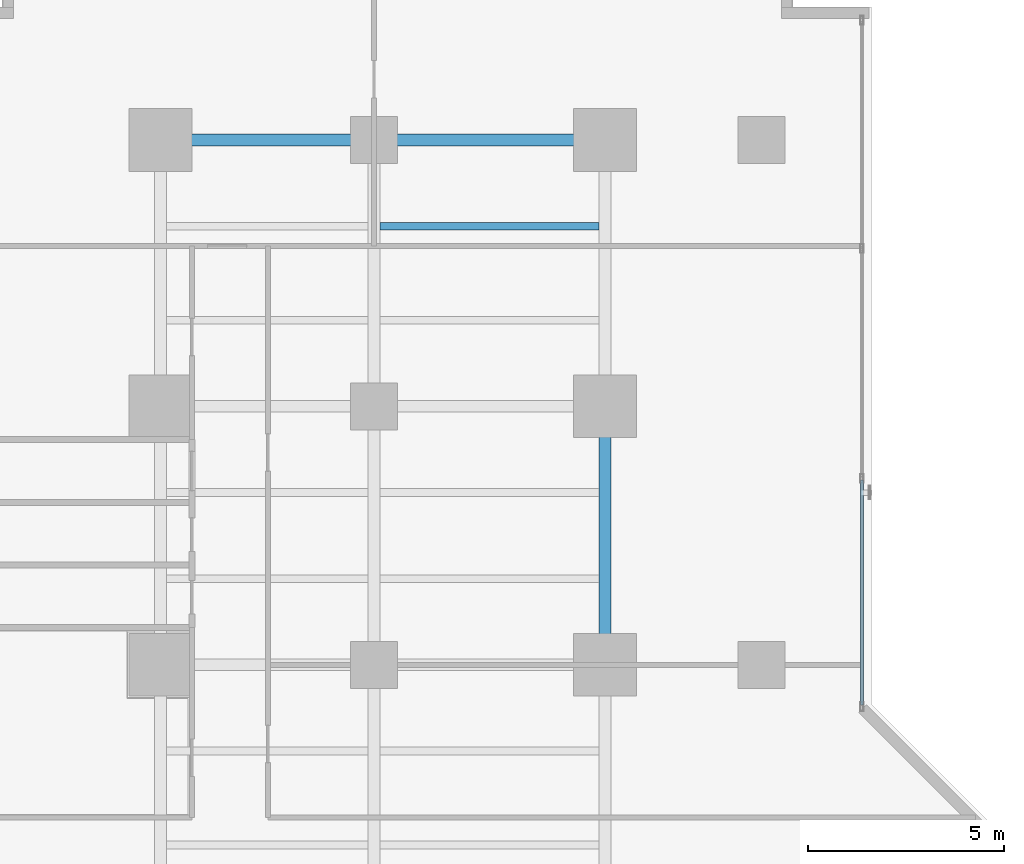
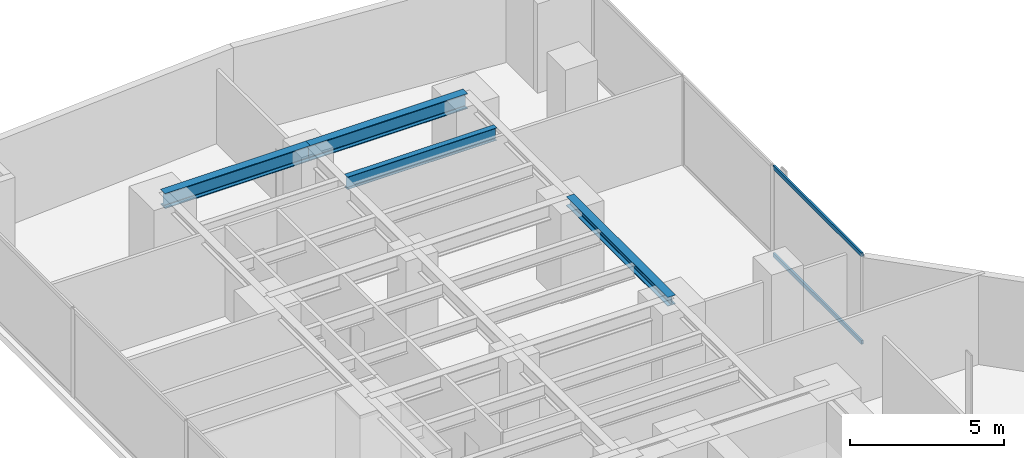
# One storey, part 18 of 31: 4 beams, 2 members, 1 element without a shape of its own.
"""IFC4 building model written with IfcOpenShell, lengths in metres."""

from ifc_helpers import new_model, si_unit, direction, frame, origin, origin_with_axes, origin_2d, place, context, subcontext, project, spatial, hollow_rectangle, i_section, extrude, source, transform, mapped, material, layer, layer_set, material_profile, profile_set, type_object, element, aggregate, save


model = new_model("IFC4")

# Units and contexts
model_context = context("Model", 3, precision=1e-05, world=origin(), true_north=direction((0.0, 1.0)))
body_context = subcontext(model_context, "Body", "Model", "MODEL_VIEW")
ifc_project = project(units=[si_unit("LENGTHUNIT", "METRE"), si_unit("AREAUNIT", "SQUARE_METRE"), si_unit("VOLUMEUNIT", "CUBIC_METRE"), si_unit("PLANEANGLEUNIT", "RADIAN"), si_unit("MASSUNIT", "GRAM", prefix="KILO")], contexts=[model_context])

# Site, building, storey
site_placement = place(None, origin())
site = spatial("IfcSite", under=ifc_project, at=site_placement, CompositionType="ELEMENT")
building_placement = place(site_placement, origin())
building = spatial("IfcBuilding", under=site, at=building_placement, Name="Kolvaren Waterfront Exchange", CompositionType="ELEMENT")
storey_placement = place(building_placement, frame((0.0, 0.0, 67.60009765625)))
storey = spatial("IfcBuildingStorey", under=building, at=storey_placement, Name="L17", CompositionType="ELEMENT", Elevation=67.60009765625)

# Beams
ifc_material_1 = material(Name="Steel S355", Category="steel")
ifc_material_profile_1 = material_profile(ifc_material_1, i_section(OverallWidth=0.300048828125, OverallDepth=0.360107421875, WebThickness=0.012451171875, FlangeThickness=0.0224609375, FilletRadius=0.027099609375, at=origin_2d()), Name="HEB360")
ifc_profile_set_1 = profile_set([ifc_material_profile_1], Name="Steel S355")
beam_type_1 = type_object("IfcBeamType", Name="STR-BM-HEB360", PredefinedType="SPANDREL", material=ifc_profile_set_1)
beam_1_placement = place(storey_placement, frame((18.800048828125, 31.199951171875, 3.35986328125), z_axis=(0.0, 1.0, 0.0), x_axis=(-1.0, 0.0, 0.0)))
element("IfcBeam", 1, at=beam_1_placement, inside=storey, type_object=beam_type_1, Name="L17 north-arm edge beam 2", PredefinedType="SPANDREL", context=body_context, shape_type="SweptSolid", body=[
    extrude(i_section(OverallWidth=0.300048828125, OverallDepth=0.360107421875, WebThickness=0.012451171875, FlangeThickness=0.0224609375, FilletRadius=0.027099609375, at=origin_2d()), origin(), (0.0, 0.0, 1.0), 6.60009765625),
])
ifc_material_profile_2 = material_profile(ifc_material_1, i_section(OverallWidth=0.300048828125, OverallDepth=0.60009765625, WebThickness=0.015380859375, FlangeThickness=0.030029296875, FilletRadius=0.027099609375, at=origin_2d()), Name="HEB600")
ifc_profile_set_2 = profile_set([ifc_material_profile_2], Name="Steel S355")
beam_type_2 = type_object("IfcBeamType", Name="STR-BM-HEB600", PredefinedType="BEAM", material=ifc_profile_set_2)
beam_2_placement = place(storey_placement, frame((7.449951171875, 44.60009765625, 3.239990234375), z_axis=(1.0, 0.0, 0.0), x_axis=(0.0, 1.0, 0.0)))
element("IfcBeam", 2, at=beam_2_placement, inside=storey, type_object=beam_type_2, Name="L17 north-arm girder 4A", PredefinedType="BEAM", context=body_context, shape_type="SweptSolid", body=[
    extrude(i_section(OverallWidth=0.300048828125, OverallDepth=0.60009765625, WebThickness=0.015380859375, FlangeThickness=0.030029296875, FilletRadius=0.027099609375, at=origin_2d()), origin(), (0.0, 0.0, 1.0), 5.449951171875),
])
beam_3_placement = place(storey_placement, frame((12.89990234375, 44.60009765625, 3.239990234375), z_axis=(1.0, 0.0, 0.0), x_axis=(0.0, 1.0, 0.0)))
element("IfcBeam", 3, at=beam_3_placement, inside=storey, type_object=beam_type_2, Name="L17 north-arm girder 4B", PredefinedType="BEAM", context=body_context, shape_type="SweptSolid", body=[
    extrude(i_section(OverallWidth=0.300048828125, OverallDepth=0.60009765625, WebThickness=0.015380859375, FlangeThickness=0.030029296875, FilletRadius=0.027099609375, at=origin_2d()), origin(), (0.0, 0.0, 1.0), 5.900146484375),
])
ifc_material_profile_3 = material_profile(ifc_material_1, i_section(OverallWidth=0.199951171875, OverallDepth=0.5, WebThickness=0.01025390625, FlangeThickness=0.01611328125, FilletRadius=0.02099609375, at=origin_2d()), Name="IPE500")
ifc_profile_set_3 = profile_set([ifc_material_profile_3], Name="Steel S355")
beam_type_3 = type_object("IfcBeamType", Name="STR-BM-IPE500", PredefinedType="JOIST", material=ifc_profile_set_3)
beam_4_placement = place(storey_placement, frame((13.052001953125, 42.39990234375, 3.289794921875), z_axis=(1.0, 0.0, 0.0), x_axis=(0.0, 1.0, 0.0)))
element("IfcBeam", 4, at=beam_4_placement, inside=storey, type_object=beam_type_3, Name="L17 north-arm composite joist 6B", PredefinedType="JOIST", context=body_context, shape_type="SweptSolid", body=[
    extrude(i_section(OverallWidth=0.199951171875, OverallDepth=0.5, WebThickness=0.01025390625, FlangeThickness=0.01611328125, FilletRadius=0.02099609375, at=origin_2d()), origin(), (0.0, 0.0, 1.0), 5.595947265625),
])

# Curtain wall, members
ifc_material_2 = material(Name="Anodised bronze aluminium 6063-T6", Category="aluminium")
ifc_layer = layer(ifc_material_2, 0.219970703125, Name="Anodised bronze aluminium 6063-T6")
ifc_layer_set = layer_set([ifc_layer], Name="Anodised bronze aluminium 6063-T6")
curtain_wall_type = type_object("IfcCurtainWallType", Name="ARC-CW-SYS1", PredefinedType="USERDEFINED", material=ifc_layer_set)
curtain_wall_placement = place(storey_placement, origin())
curtain_wall = element("IfcCurtainWall", 5, at=curtain_wall_placement, inside=storey, type_object=curtain_wall_type, Name="L17 stick curtain wall CW1 (CW-L17-NE)", ObjectType="STICK CURTAIN WALL", PredefinedType="USERDEFINED")
ifc_material_3 = material(Name="Anodised aluminium 6063-T6", Category="aluminium")
ifc_material_profile_4 = material_profile(ifc_material_3, hollow_rectangle(XDim=0.074951171875, YDim=0.159912109375, WallThickness=0.00439453125, at=origin_2d()), Name="ALU-TRN-160x75x4.5")
ifc_profile_set_4 = profile_set([ifc_material_profile_4], Name="Anodised aluminium 6063-T6")
member_type = type_object("IfcMemberType", Name="ARC-CWT-160", PredefinedType="USERDEFINED", material=ifc_profile_set_4)
shared_shape = source(origin_with_axes(), body_context, "Body", "SweptSolid", [
    extrude(hollow_rectangle(XDim=0.074951171875, YDim=0.159912109375, WallThickness=0.00439453125, at=origin_2d()), origin(), (0.0, 0.0, 1.0), 5.75),
])
member_1_placement = place(storey_placement, frame((25.360107421875, 30.169921875, 0.037353515625), z_axis=(0.0, 1.0, 0.0), x_axis=(-1.0, 0.0, 0.0)))
member_1 = element("IfcMember", 6, at=member_1_placement, type_object=member_type, Name="CW1 transom 1.1", ObjectType="TRANSOM", PredefinedType="USERDEFINED", context=body_context, shape_type="MappedRepresentation", body=[
    mapped(shared_shape, transform((0.0, 0.0, 0.0), x_axis=(1.0, 0.0, 0.0), y_axis=(0.0, 1.0, 0.0), z_axis=(0.0, 0.0, 1.0), scale=1.0)),
])
member_2_placement = place(storey_placement, frame((25.360107421875, 30.169921875, 3.50244140625), z_axis=(0.0, 1.0, 0.0), x_axis=(-1.0, 0.0, 0.0)))
member_2 = element("IfcMember", 7, at=member_2_placement, type_object=member_type, Name="CW1 transom 1.2", ObjectType="TRANSOM", PredefinedType="USERDEFINED", context=body_context, shape_type="MappedRepresentation", body=[
    mapped(shared_shape, transform((0.0, 0.0, 0.0), x_axis=(1.0, 0.0, 0.0), y_axis=(0.0, 1.0, 0.0), z_axis=(0.0, 0.0, 1.0), scale=1.0)),
])
aggregate(curtain_wall, [member_1, member_2])

save(model, "model.ifc")
